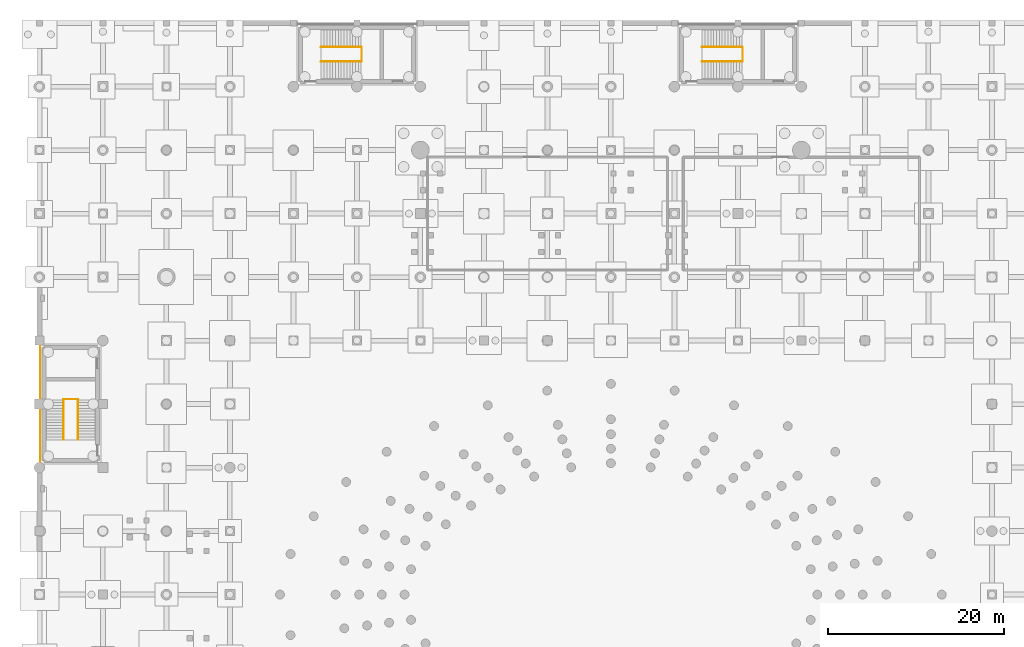
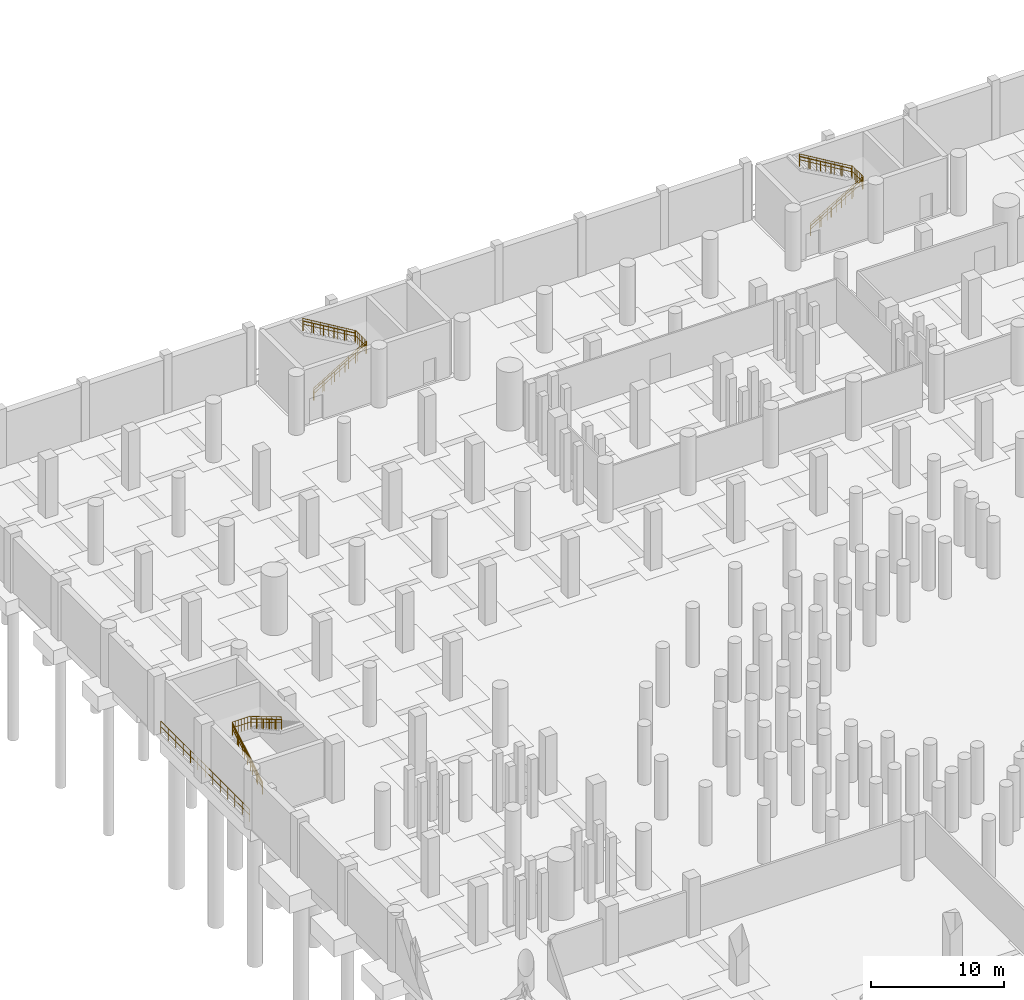
# One storey, part 33 of 37: 16 railings.
"""IFC4 building model written with IfcOpenShell, lengths in metres."""

from ifc_helpers import new_model, si_unit, direction, frame, origin, origin_2d, place, context, subcontext, project, spatial, circle, extrude, material, type_object, element, save


model = new_model("IFC4")

# Units and contexts
model_context = context("Model", 3, precision=1e-05, world=origin(), true_north=direction((0.0, 1.0)))
body_context = subcontext(model_context, "Body", "Model", "MODEL_VIEW")
ifc_project = project(units=[si_unit("LENGTHUNIT", "METRE"), si_unit("AREAUNIT", "SQUARE_METRE"), si_unit("VOLUMEUNIT", "CUBIC_METRE"), si_unit("PLANEANGLEUNIT", "RADIAN"), si_unit("MASSUNIT", "GRAM", prefix="KILO")], contexts=[model_context])

# Site, building, storey
site_placement = place(None, origin())
site = spatial("IfcSite", under=ifc_project, at=site_placement, CompositionType="ELEMENT")
building_placement = place(site_placement, origin())
building = spatial("IfcBuilding", under=site, at=building_placement, Name="Qandorah Velis Arena", CompositionType="ELEMENT")
storey_placement = place(building_placement, frame((0.0, 0.0, -5.39990234375)))
storey = spatial("IfcBuildingStorey", under=building, at=storey_placement, Name="B1", CompositionType="ELEMENT", Elevation=-5.39990234375)

# Railings
ifc_material = material(Name="Stainless steel 316", Category="steel")
railing_type_1 = type_object("IfcRailingType", Name="ARC-RL-GRD1150", PredefinedType="GUARDRAIL", material=ifc_material)
railing_1_placement = place(storey_placement, frame((36.5458984375, 125.239990234375, 2.699951171875)))
element("IfcRailing", 1, at=railing_1_placement, inside=storey, type_object=railing_type_1, Name="Stair ST3 well guardrail (B1)", PredefinedType="GUARDRAIL", context=body_context, shape_type="SweptSolid", body=[
    extrude(circle(Radius=0.02392578125, at=origin_2d()), frame((0.0, 0.0, 1.1259765625), z_axis=(0.0, 1.0, 0.0), x_axis=(-1.0, 0.0, 0.0)), (0.0, 0.0, 1.0), 1.6201171875),
    extrude(circle(Radius=0.02392578125, at=origin_2d()), frame((0.0, 0.0, 0.597900390625), z_axis=(0.0, 1.0, 0.0), x_axis=(-1.0, 0.0, 0.0)), (0.0, 0.0, 1.0), 1.6201171875),
    extrude(circle(Radius=0.02099609375, at=origin_2d()), origin(), (0.0, 0.0, 1.0), 1.101806640625),
    extrude(circle(Radius=0.02099609375, at=origin_2d()), frame((0.0, 0.27001953125, 0.0)), (0.0, 0.0, 1.0), 1.101806640625),
    extrude(circle(Radius=0.02099609375, at=origin_2d()), frame((0.0, 0.5400390625, 0.0)), (0.0, 0.0, 1.0), 1.101806640625),
    extrude(circle(Radius=0.02099609375, at=origin_2d()), frame((0.0, 0.81005859375, 0.0)), (0.0, 0.0, 1.0), 1.101806640625),
    extrude(circle(Radius=0.02099609375, at=origin_2d()), frame((0.0, 1.080078125, 0.0)), (0.0, 0.0, 1.0), 1.101806640625),
    extrude(circle(Radius=0.02099609375, at=origin_2d()), frame((0.0, 1.35009765625, 0.0)), (0.0, 0.0, 1.0), 1.101806640625),
    extrude(circle(Radius=0.02099609375, at=origin_2d()), frame((0.0, 1.6201171875, 0.0)), (0.0, 0.0, 1.0), 1.101806640625),
])
railing_2_placement = place(storey_placement, frame((31.949951171875, 125.22998046875, 0.0)))
element("IfcRailing", 2, at=railing_2_placement, inside=storey, type_object=railing_type_1, Name="Stair ST3 inner flight 1 guardrail (B1)", PredefinedType="GUARDRAIL", context=body_context, shape_type="SweptSolid", body=[
    extrude(circle(Radius=0.02392578125, at=origin_2d()), frame((0.0, 0.0, 1.1259765625), z_axis=(0.859303531718, 0.0, 0.511465971866), x_axis=(0.0, 1.0, 0.0)), (0.0, 0.0, 1.0), 5.27880859375),
    extrude(circle(Radius=0.02392578125, at=origin_2d()), frame((0.0, 0.0, 0.597900390625), z_axis=(0.859303531718, 0.0, 0.511465971866), x_axis=(0.0, 1.0, 0.0)), (0.0, 0.0, 1.0), 5.27880859375),
    extrude(circle(Radius=0.02099609375, at=origin_2d()), origin(), (0.0, 0.0, 1.0), 1.101806640625),
    extrude(circle(Radius=0.02099609375, at=origin_2d()), frame((0.756103515625, 0.0, 0.449951171875)), (0.0, 0.0, 1.0), 1.101806640625),
    extrude(circle(Radius=0.02099609375, at=origin_2d()), frame((1.511962890625, 0.0, 0.89990234375)), (0.0, 0.0, 1.0), 1.101806640625),
    extrude(circle(Radius=0.02099609375, at=origin_2d()), frame((2.26806640625, 0.0, 1.35009765625)), (0.0, 0.0, 1.0), 1.101806640625),
    extrude(circle(Radius=0.02099609375, at=origin_2d()), frame((3.024169921875, 0.0, 1.800048828125)), (0.0, 0.0, 1.0), 1.101806640625),
    extrude(circle(Radius=0.02099609375, at=origin_2d()), frame((3.780029296875, 0.0, 2.25)), (0.0, 0.0, 1.0), 1.101806640625),
    extrude(circle(Radius=0.02099609375, at=origin_2d()), frame((4.5361328125, 0.0, 2.699951171875)), (0.0, 0.0, 1.0), 1.101806640625),
])
railing_3_placement = place(storey_placement, frame((36.486083984375, 126.8701171875, 2.699951171875)))
element("IfcRailing", 3, at=railing_3_placement, inside=storey, type_object=railing_type_1, Name="Stair ST3 inner flight 2 guardrail (B1)", PredefinedType="GUARDRAIL", context=body_context, shape_type="SweptSolid", body=[
    extrude(circle(Radius=0.02392578125, at=origin_2d()), frame((0.0, 0.0, 1.1259765625), z_axis=(-0.859303531718, 0.0, 0.511465971866), x_axis=(0.0, -1.0, 0.0)), (0.0, 0.0, 1.0), 5.27880859375),
    extrude(circle(Radius=0.02392578125, at=origin_2d()), frame((0.0, 0.0, 0.597900390625), z_axis=(-0.859303531718, 0.0, 0.511465971866), x_axis=(0.0, -1.0, 0.0)), (0.0, 0.0, 1.0), 5.27880859375),
    extrude(circle(Radius=0.02099609375, at=origin_2d()), origin(), (0.0, 0.0, 1.0), 1.101806640625),
    extrude(circle(Radius=0.02099609375, at=origin_2d()), frame((-0.756103515625, 0.0, 0.449951171875)), (0.0, 0.0, 1.0), 1.101806640625),
    extrude(circle(Radius=0.02099609375, at=origin_2d()), frame((-1.511962890625, 0.0, 0.89990234375)), (0.0, 0.0, 1.0), 1.101806640625),
    extrude(circle(Radius=0.02099609375, at=origin_2d()), frame((-2.26806640625, 0.0, 1.35009765625)), (0.0, 0.0, 1.0), 1.101806640625),
    extrude(circle(Radius=0.02099609375, at=origin_2d()), frame((-3.024169921875, 0.0, 1.800048828125)), (0.0, 0.0, 1.0), 1.101806640625),
    extrude(circle(Radius=0.02099609375, at=origin_2d()), frame((-3.780029296875, 0.0, 2.25)), (0.0, 0.0, 1.0), 1.101806640625),
    extrude(circle(Radius=0.02099609375, at=origin_2d()), frame((-4.5361328125, 0.0, 2.699951171875)), (0.0, 0.0, 1.0), 1.101806640625),
])
railing_4_placement = place(storey_placement, frame((79.74609375, 125.239990234375, 2.699951171875)))
element("IfcRailing", 4, at=railing_4_placement, inside=storey, type_object=railing_type_1, Name="Stair ST4 well guardrail (B1)", PredefinedType="GUARDRAIL", context=body_context, shape_type="SweptSolid", body=[
    extrude(circle(Radius=0.02392578125, at=origin_2d()), frame((0.0, 0.0, 1.1259765625), z_axis=(0.0, 1.0, 0.0), x_axis=(-1.0, 0.0, 0.0)), (0.0, 0.0, 1.0), 1.6201171875),
    extrude(circle(Radius=0.02392578125, at=origin_2d()), frame((0.0, 0.0, 0.597900390625), z_axis=(0.0, 1.0, 0.0), x_axis=(-1.0, 0.0, 0.0)), (0.0, 0.0, 1.0), 1.6201171875),
    extrude(circle(Radius=0.02099609375, at=origin_2d()), origin(), (0.0, 0.0, 1.0), 1.101806640625),
    extrude(circle(Radius=0.02099609375, at=origin_2d()), frame((0.0, 0.27001953125, 0.0)), (0.0, 0.0, 1.0), 1.101806640625),
    extrude(circle(Radius=0.02099609375, at=origin_2d()), frame((0.0, 0.5400390625, 0.0)), (0.0, 0.0, 1.0), 1.101806640625),
    extrude(circle(Radius=0.02099609375, at=origin_2d()), frame((0.0, 0.81005859375, 0.0)), (0.0, 0.0, 1.0), 1.101806640625),
    extrude(circle(Radius=0.02099609375, at=origin_2d()), frame((0.0, 1.080078125, 0.0)), (0.0, 0.0, 1.0), 1.101806640625),
    extrude(circle(Radius=0.02099609375, at=origin_2d()), frame((0.0, 1.35009765625, 0.0)), (0.0, 0.0, 1.0), 1.101806640625),
    extrude(circle(Radius=0.02099609375, at=origin_2d()), frame((0.0, 1.6201171875, 0.0)), (0.0, 0.0, 1.0), 1.101806640625),
])
railing_5_placement = place(storey_placement, frame((75.14990234375, 125.22998046875, 0.0)))
element("IfcRailing", 5, at=railing_5_placement, inside=storey, type_object=railing_type_1, Name="Stair ST4 inner flight 1 guardrail (B1)", PredefinedType="GUARDRAIL", context=body_context, shape_type="SweptSolid", body=[
    extrude(circle(Radius=0.02392578125, at=origin_2d()), frame((0.0, 0.0, 1.1259765625), z_axis=(0.859303531718, 0.0, 0.511465971866), x_axis=(0.0, 1.0, 0.0)), (0.0, 0.0, 1.0), 5.27880859375),
    extrude(circle(Radius=0.02392578125, at=origin_2d()), frame((0.0, 0.0, 0.597900390625), z_axis=(0.859303531718, 0.0, 0.511465971866), x_axis=(0.0, 1.0, 0.0)), (0.0, 0.0, 1.0), 5.27880859375),
    extrude(circle(Radius=0.02099609375, at=origin_2d()), origin(), (0.0, 0.0, 1.0), 1.101806640625),
    extrude(circle(Radius=0.02099609375, at=origin_2d()), frame((0.756103515625, 0.0, 0.449951171875)), (0.0, 0.0, 1.0), 1.101806640625),
    extrude(circle(Radius=0.02099609375, at=origin_2d()), frame((1.511962890625, 0.0, 0.89990234375)), (0.0, 0.0, 1.0), 1.101806640625),
    extrude(circle(Radius=0.02099609375, at=origin_2d()), frame((2.26806640625, 0.0, 1.35009765625)), (0.0, 0.0, 1.0), 1.101806640625),
    extrude(circle(Radius=0.02099609375, at=origin_2d()), frame((3.024169921875, 0.0, 1.800048828125)), (0.0, 0.0, 1.0), 1.101806640625),
    extrude(circle(Radius=0.02099609375, at=origin_2d()), frame((3.780029296875, 0.0, 2.25)), (0.0, 0.0, 1.0), 1.101806640625),
    extrude(circle(Radius=0.02099609375, at=origin_2d()), frame((4.5361328125, 0.0, 2.699951171875)), (0.0, 0.0, 1.0), 1.101806640625),
])
railing_6_placement = place(storey_placement, frame((79.68603515625, 126.8701171875, 2.699951171875)))
element("IfcRailing", 6, at=railing_6_placement, inside=storey, type_object=railing_type_1, Name="Stair ST4 inner flight 2 guardrail (B1)", PredefinedType="GUARDRAIL", context=body_context, shape_type="SweptSolid", body=[
    extrude(circle(Radius=0.02392578125, at=origin_2d()), frame((0.0, 0.0, 1.1259765625), z_axis=(-0.859303531718, 0.0, 0.511465971866), x_axis=(0.0, -1.0, 0.0)), (0.0, 0.0, 1.0), 5.27880859375),
    extrude(circle(Radius=0.02392578125, at=origin_2d()), frame((0.0, 0.0, 0.597900390625), z_axis=(-0.859303531718, 0.0, 0.511465971866), x_axis=(0.0, -1.0, 0.0)), (0.0, 0.0, 1.0), 5.27880859375),
    extrude(circle(Radius=0.02099609375, at=origin_2d()), origin(), (0.0, 0.0, 1.0), 1.101806640625),
    extrude(circle(Radius=0.02099609375, at=origin_2d()), frame((-0.756103515625, 0.0, 0.449951171875)), (0.0, 0.0, 1.0), 1.101806640625),
    extrude(circle(Radius=0.02099609375, at=origin_2d()), frame((-1.511962890625, 0.0, 0.89990234375)), (0.0, 0.0, 1.0), 1.101806640625),
    extrude(circle(Radius=0.02099609375, at=origin_2d()), frame((-2.26806640625, 0.0, 1.35009765625)), (0.0, 0.0, 1.0), 1.101806640625),
    extrude(circle(Radius=0.02099609375, at=origin_2d()), frame((-3.024169921875, 0.0, 1.800048828125)), (0.0, 0.0, 1.0), 1.101806640625),
    extrude(circle(Radius=0.02099609375, at=origin_2d()), frame((-3.780029296875, 0.0, 2.25)), (0.0, 0.0, 1.0), 1.101806640625),
    extrude(circle(Radius=0.02099609375, at=origin_2d()), frame((-4.5361328125, 0.0, 2.699951171875)), (0.0, 0.0, 1.0), 1.101806640625),
])
railing_7_placement = place(storey_placement, frame((2.739990234375, 86.946044921875, 2.699951171875)))
element("IfcRailing", 7, at=railing_7_placement, inside=storey, type_object=railing_type_1, Name="Stair ST6 well guardrail (B1)", PredefinedType="GUARDRAIL", context=body_context, shape_type="SweptSolid", body=[
    extrude(circle(Radius=0.02392578125, at=origin_2d()), frame((0.0, 0.0, 1.1259765625), z_axis=(1.0, 0.0, 0.0), x_axis=(0.0, 1.0, 0.0)), (0.0, 0.0, 1.0), 1.6201171875),
    extrude(circle(Radius=0.02392578125, at=origin_2d()), frame((0.0, 0.0, 0.597900390625), z_axis=(1.0, 0.0, 0.0), x_axis=(0.0, 1.0, 0.0)), (0.0, 0.0, 1.0), 1.6201171875),
    extrude(circle(Radius=0.02099609375, at=origin_2d()), origin(), (0.0, 0.0, 1.0), 1.101806640625),
    extrude(circle(Radius=0.02099609375, at=origin_2d()), frame((0.27001953125, 0.0, 0.0)), (0.0, 0.0, 1.0), 1.101806640625),
    extrude(circle(Radius=0.02099609375, at=origin_2d()), frame((0.5400390625, 0.0, 0.0)), (0.0, 0.0, 1.0), 1.101806640625),
    extrude(circle(Radius=0.02099609375, at=origin_2d()), frame((0.81005859375, 0.0, 0.0)), (0.0, 0.0, 1.0), 1.101806640625),
    extrude(circle(Radius=0.02099609375, at=origin_2d()), frame((1.080078125, 0.0, 0.0)), (0.0, 0.0, 1.0), 1.101806640625),
    extrude(circle(Radius=0.02099609375, at=origin_2d()), frame((1.35009765625, 0.0, 0.0)), (0.0, 0.0, 1.0), 1.101806640625),
    extrude(circle(Radius=0.02099609375, at=origin_2d()), frame((1.6201171875, 0.0, 0.0)), (0.0, 0.0, 1.0), 1.101806640625),
])
railing_8_placement = place(storey_placement, frame((2.72998046875, 82.35009765625, 0.0)))
element("IfcRailing", 8, at=railing_8_placement, inside=storey, type_object=railing_type_1, Name="Stair ST6 inner flight 1 guardrail (B1)", PredefinedType="GUARDRAIL", context=body_context, shape_type="SweptSolid", body=[
    extrude(circle(Radius=0.02392578125, at=origin_2d()), frame((0.0, 0.0, 1.1259765625), z_axis=(0.0, 0.859291432417, 0.511486299107), x_axis=(-1.0, 0.0, 0.0)), (0.0, 0.0, 1.0), 5.278564453125),
    extrude(circle(Radius=0.02392578125, at=origin_2d()), frame((0.0, 0.0, 0.597900390625), z_axis=(0.0, 0.859291432417, 0.511486299107), x_axis=(-1.0, 0.0, 0.0)), (0.0, 0.0, 1.0), 5.278564453125),
    extrude(circle(Radius=0.02099609375, at=origin_2d()), origin(), (0.0, 0.0, 1.0), 1.101806640625),
    extrude(circle(Radius=0.02099609375, at=origin_2d()), frame((0.0, 0.755859375, 0.449951171875)), (0.0, 0.0, 1.0), 1.101806640625),
    extrude(circle(Radius=0.02099609375, at=origin_2d()), frame((0.0, 1.511962890625, 0.89990234375)), (0.0, 0.0, 1.0), 1.101806640625),
    extrude(circle(Radius=0.02099609375, at=origin_2d()), frame((0.0, 2.26806640625, 1.35009765625)), (0.0, 0.0, 1.0), 1.101806640625),
    extrude(circle(Radius=0.02099609375, at=origin_2d()), frame((0.0, 3.02392578125, 1.800048828125)), (0.0, 0.0, 1.0), 1.101806640625),
    extrude(circle(Radius=0.02099609375, at=origin_2d()), frame((0.0, 3.77978515625, 2.25)), (0.0, 0.0, 1.0), 1.101806640625),
    extrude(circle(Radius=0.02099609375, at=origin_2d()), frame((0.0, 4.535888671875, 2.699951171875)), (0.0, 0.0, 1.0), 1.101806640625),
])
railing_9_placement = place(storey_placement, frame((4.3701171875, 86.885986328125, 2.699951171875)))
element("IfcRailing", 9, at=railing_9_placement, inside=storey, type_object=railing_type_1, Name="Stair ST6 inner flight 2 guardrail (B1)", PredefinedType="GUARDRAIL", context=body_context, shape_type="SweptSolid", body=[
    extrude(circle(Radius=0.02392578125, at=origin_2d()), frame((0.0, 0.0, 1.1259765625), z_axis=(0.0, -0.859291432417, 0.511486299107), x_axis=(1.0, 0.0, 0.0)), (0.0, 0.0, 1.0), 5.278564453125),
    extrude(circle(Radius=0.02392578125, at=origin_2d()), frame((0.0, 0.0, 0.597900390625), z_axis=(0.0, -0.859291432417, 0.511486299107), x_axis=(1.0, 0.0, 0.0)), (0.0, 0.0, 1.0), 5.278564453125),
    extrude(circle(Radius=0.02099609375, at=origin_2d()), origin(), (0.0, 0.0, 1.0), 1.101806640625),
    extrude(circle(Radius=0.02099609375, at=origin_2d()), frame((0.0, -0.755859375, 0.449951171875)), (0.0, 0.0, 1.0), 1.101806640625),
    extrude(circle(Radius=0.02099609375, at=origin_2d()), frame((0.0, -1.511962890625, 0.89990234375)), (0.0, 0.0, 1.0), 1.101806640625),
    extrude(circle(Radius=0.02099609375, at=origin_2d()), frame((0.0, -2.26806640625, 1.35009765625)), (0.0, 0.0, 1.0), 1.101806640625),
    extrude(circle(Radius=0.02099609375, at=origin_2d()), frame((0.0, -3.02392578125, 1.800048828125)), (0.0, 0.0, 1.0), 1.101806640625),
    extrude(circle(Radius=0.02099609375, at=origin_2d()), frame((0.0, -3.77978515625, 2.25)), (0.0, 0.0, 1.0), 1.101806640625),
    extrude(circle(Radius=0.02099609375, at=origin_2d()), frame((0.0, -4.535888671875, 2.699951171875)), (0.0, 0.0, 1.0), 1.101806640625),
])
railing_10_placement = place(storey_placement, frame((0.10009765625, 79.699951171875, 0.0)))
element("IfcRailing", 10, at=railing_10_placement, inside=storey, type_object=railing_type_1, Name="Slab edge safety guardrail B1-005", PredefinedType="GUARDRAIL", context=body_context, shape_type="SweptSolid", body=[
    extrude(circle(Radius=0.02392578125, at=origin_2d()), frame((0.0, 0.0, 1.1259765625), z_axis=(0.0, 1.0, 0.0), x_axis=(-1.0, 0.0, 0.0)), (0.0, 0.0, 1.0), 13.400146484375),
    extrude(circle(Radius=0.02392578125, at=origin_2d()), frame((0.0, 0.0, 0.597900390625), z_axis=(0.0, 1.0, 0.0), x_axis=(-1.0, 0.0, 0.0)), (0.0, 0.0, 1.0), 13.400146484375),
    extrude(circle(Radius=0.02099609375, at=origin_2d()), origin(), (0.0, 0.0, 1.0), 1.101806640625),
    extrude(circle(Radius=0.02099609375, at=origin_2d()), frame((0.0, 1.11669921875, 0.0)), (0.0, 0.0, 1.0), 1.101806640625),
    extrude(circle(Radius=0.02099609375, at=origin_2d()), frame((0.0, 2.2333984375, 0.0)), (0.0, 0.0, 1.0), 1.101806640625),
    extrude(circle(Radius=0.02099609375, at=origin_2d()), frame((0.0, 3.35009765625, 0.0)), (0.0, 0.0, 1.0), 1.101806640625),
    extrude(circle(Radius=0.02099609375, at=origin_2d()), frame((0.0, 4.466796875, 0.0)), (0.0, 0.0, 1.0), 1.101806640625),
    extrude(circle(Radius=0.02099609375, at=origin_2d()), frame((0.0, 5.58349609375, 0.0)), (0.0, 0.0, 1.0), 1.101806640625),
    extrude(circle(Radius=0.02099609375, at=origin_2d()), frame((0.0, 6.7001953125, 0.0)), (0.0, 0.0, 1.0), 1.101806640625),
    extrude(circle(Radius=0.02099609375, at=origin_2d()), frame((0.0, 7.816650390625, 0.0)), (0.0, 0.0, 1.0), 1.101806640625),
    extrude(circle(Radius=0.02099609375, at=origin_2d()), frame((0.0, 8.933349609375, 0.0)), (0.0, 0.0, 1.0), 1.101806640625),
    extrude(circle(Radius=0.02099609375, at=origin_2d()), frame((0.0, 10.050048828125, 0.0)), (0.0, 0.0, 1.0), 1.101806640625),
    extrude(circle(Radius=0.02099609375, at=origin_2d()), frame((0.0, 11.166748046875, 0.0)), (0.0, 0.0, 1.0), 1.101806640625),
    extrude(circle(Radius=0.02099609375, at=origin_2d()), frame((0.0, 12.283447265625, 0.0)), (0.0, 0.0, 1.0), 1.101806640625),
    extrude(circle(Radius=0.02099609375, at=origin_2d()), frame((0.0, 13.400146484375, 0.0)), (0.0, 0.0, 1.0), 1.101806640625),
])
railing_type_2 = type_object("IfcRailingType", Name="ARC-RL-HND920", PredefinedType="HANDRAIL", material=ifc_material)
railing_11_placement = place(storey_placement, frame((31.949951171875, 125.22998046875, 0.0)))
element("IfcRailing", 11, at=railing_11_placement, inside=storey, type_object=railing_type_2, Name="Stair ST3 inner handrail 1 (B1)", PredefinedType="HANDRAIL", context=body_context, shape_type="SweptSolid", body=[
    extrude(circle(Radius=0.02392578125, at=origin_2d()), frame((0.0, 0.0, 0.89599609375), z_axis=(0.859303531718, 0.0, 0.511465971866), x_axis=(0.0, 1.0, 0.0)), (0.0, 0.0, 1.0), 5.27880859375),
    extrude(circle(Radius=0.02099609375, at=origin_2d()), origin(), (0.0, 0.0, 1.0), 0.871826171875),
    extrude(circle(Radius=0.02099609375, at=origin_2d()), frame((0.9072265625, 0.0, 0.5400390625)), (0.0, 0.0, 1.0), 0.871826171875),
    extrude(circle(Radius=0.02099609375, at=origin_2d()), frame((1.814453125, 0.0, 1.080078125)), (0.0, 0.0, 1.0), 0.871826171875),
    extrude(circle(Radius=0.02099609375, at=origin_2d()), frame((2.7216796875, 0.0, 1.619873046875)), (0.0, 0.0, 1.0), 0.871826171875),
    extrude(circle(Radius=0.02099609375, at=origin_2d()), frame((3.62890625, 0.0, 2.159912109375)), (0.0, 0.0, 1.0), 0.871826171875),
    extrude(circle(Radius=0.02099609375, at=origin_2d()), frame((4.5361328125, 0.0, 2.699951171875)), (0.0, 0.0, 1.0), 0.871826171875),
])
railing_12_placement = place(storey_placement, frame((36.486083984375, 126.8701171875, 2.699951171875)))
element("IfcRailing", 12, at=railing_12_placement, inside=storey, type_object=railing_type_2, Name="Stair ST3 inner handrail 2 (B1)", PredefinedType="HANDRAIL", context=body_context, shape_type="SweptSolid", body=[
    extrude(circle(Radius=0.02392578125, at=origin_2d()), frame((0.0, 0.0, 0.89599609375), z_axis=(-0.859303531718, 0.0, 0.511465971866), x_axis=(0.0, -1.0, 0.0)), (0.0, 0.0, 1.0), 5.27880859375),
    extrude(circle(Radius=0.02099609375, at=origin_2d()), origin(), (0.0, 0.0, 1.0), 0.871826171875),
    extrude(circle(Radius=0.02099609375, at=origin_2d()), frame((-0.9072265625, 0.0, 0.5400390625)), (0.0, 0.0, 1.0), 0.871826171875),
    extrude(circle(Radius=0.02099609375, at=origin_2d()), frame((-1.814453125, 0.0, 1.080078125)), (0.0, 0.0, 1.0), 0.871826171875),
    extrude(circle(Radius=0.02099609375, at=origin_2d()), frame((-2.7216796875, 0.0, 1.619873046875)), (0.0, 0.0, 1.0), 0.871826171875),
    extrude(circle(Radius=0.02099609375, at=origin_2d()), frame((-3.62890625, 0.0, 2.159912109375)), (0.0, 0.0, 1.0), 0.871826171875),
    extrude(circle(Radius=0.02099609375, at=origin_2d()), frame((-4.5361328125, 0.0, 2.699951171875)), (0.0, 0.0, 1.0), 0.871826171875),
])
railing_13_placement = place(storey_placement, frame((75.14990234375, 125.22998046875, 0.0)))
element("IfcRailing", 13, at=railing_13_placement, inside=storey, type_object=railing_type_2, Name="Stair ST4 inner handrail 1 (B1)", PredefinedType="HANDRAIL", context=body_context, shape_type="SweptSolid", body=[
    extrude(circle(Radius=0.02392578125, at=origin_2d()), frame((0.0, 0.0, 0.89599609375), z_axis=(0.859303531718, 0.0, 0.511465971866), x_axis=(0.0, 1.0, 0.0)), (0.0, 0.0, 1.0), 5.27880859375),
    extrude(circle(Radius=0.02099609375, at=origin_2d()), origin(), (0.0, 0.0, 1.0), 0.871826171875),
    extrude(circle(Radius=0.02099609375, at=origin_2d()), frame((0.9072265625, 0.0, 0.5400390625)), (0.0, 0.0, 1.0), 0.871826171875),
    extrude(circle(Radius=0.02099609375, at=origin_2d()), frame((1.814453125, 0.0, 1.080078125)), (0.0, 0.0, 1.0), 0.871826171875),
    extrude(circle(Radius=0.02099609375, at=origin_2d()), frame((2.7216796875, 0.0, 1.619873046875)), (0.0, 0.0, 1.0), 0.871826171875),
    extrude(circle(Radius=0.02099609375, at=origin_2d()), frame((3.62890625, 0.0, 2.159912109375)), (0.0, 0.0, 1.0), 0.871826171875),
    extrude(circle(Radius=0.02099609375, at=origin_2d()), frame((4.5361328125, 0.0, 2.699951171875)), (0.0, 0.0, 1.0), 0.871826171875),
])
railing_14_placement = place(storey_placement, frame((79.68603515625, 126.8701171875, 2.699951171875)))
element("IfcRailing", 14, at=railing_14_placement, inside=storey, type_object=railing_type_2, Name="Stair ST4 inner handrail 2 (B1)", PredefinedType="HANDRAIL", context=body_context, shape_type="SweptSolid", body=[
    extrude(circle(Radius=0.02392578125, at=origin_2d()), frame((0.0, 0.0, 0.89599609375), z_axis=(-0.859303531718, 0.0, 0.511465971866), x_axis=(0.0, -1.0, 0.0)), (0.0, 0.0, 1.0), 5.27880859375),
    extrude(circle(Radius=0.02099609375, at=origin_2d()), origin(), (0.0, 0.0, 1.0), 0.871826171875),
    extrude(circle(Radius=0.02099609375, at=origin_2d()), frame((-0.9072265625, 0.0, 0.5400390625)), (0.0, 0.0, 1.0), 0.871826171875),
    extrude(circle(Radius=0.02099609375, at=origin_2d()), frame((-1.814453125, 0.0, 1.080078125)), (0.0, 0.0, 1.0), 0.871826171875),
    extrude(circle(Radius=0.02099609375, at=origin_2d()), frame((-2.7216796875, 0.0, 1.619873046875)), (0.0, 0.0, 1.0), 0.871826171875),
    extrude(circle(Radius=0.02099609375, at=origin_2d()), frame((-3.62890625, 0.0, 2.159912109375)), (0.0, 0.0, 1.0), 0.871826171875),
    extrude(circle(Radius=0.02099609375, at=origin_2d()), frame((-4.5361328125, 0.0, 2.699951171875)), (0.0, 0.0, 1.0), 0.871826171875),
])
railing_15_placement = place(storey_placement, frame((2.72998046875, 82.35009765625, 0.0)))
element("IfcRailing", 15, at=railing_15_placement, inside=storey, type_object=railing_type_2, Name="Stair ST6 inner handrail 1 (B1)", PredefinedType="HANDRAIL", context=body_context, shape_type="SweptSolid", body=[
    extrude(circle(Radius=0.02392578125, at=origin_2d()), frame((0.0, 0.0, 0.89599609375), z_axis=(0.0, 0.859291432417, 0.511486299107), x_axis=(-1.0, 0.0, 0.0)), (0.0, 0.0, 1.0), 5.278564453125),
    extrude(circle(Radius=0.02099609375, at=origin_2d()), origin(), (0.0, 0.0, 1.0), 0.871826171875),
    extrude(circle(Radius=0.02099609375, at=origin_2d()), frame((0.0, 0.9072265625, 0.5400390625)), (0.0, 0.0, 1.0), 0.871826171875),
    extrude(circle(Radius=0.02099609375, at=origin_2d()), frame((0.0, 1.814453125, 1.080078125)), (0.0, 0.0, 1.0), 0.871826171875),
    extrude(circle(Radius=0.02099609375, at=origin_2d()), frame((0.0, 2.721435546875, 1.619873046875)), (0.0, 0.0, 1.0), 0.871826171875),
    extrude(circle(Radius=0.02099609375, at=origin_2d()), frame((0.0, 3.628662109375, 2.159912109375)), (0.0, 0.0, 1.0), 0.871826171875),
    extrude(circle(Radius=0.02099609375, at=origin_2d()), frame((0.0, 4.535888671875, 2.699951171875)), (0.0, 0.0, 1.0), 0.871826171875),
])
railing_16_placement = place(storey_placement, frame((4.3701171875, 86.885986328125, 2.699951171875)))
element("IfcRailing", 16, at=railing_16_placement, inside=storey, type_object=railing_type_2, Name="Stair ST6 inner handrail 2 (B1)", PredefinedType="HANDRAIL", context=body_context, shape_type="SweptSolid", body=[
    extrude(circle(Radius=0.02392578125, at=origin_2d()), frame((0.0, 0.0, 0.89599609375), z_axis=(0.0, -0.859291432417, 0.511486299107), x_axis=(1.0, 0.0, 0.0)), (0.0, 0.0, 1.0), 5.278564453125),
    extrude(circle(Radius=0.02099609375, at=origin_2d()), origin(), (0.0, 0.0, 1.0), 0.871826171875),
    extrude(circle(Radius=0.02099609375, at=origin_2d()), frame((0.0, -0.9072265625, 0.5400390625)), (0.0, 0.0, 1.0), 0.871826171875),
    extrude(circle(Radius=0.02099609375, at=origin_2d()), frame((0.0, -1.814453125, 1.080078125)), (0.0, 0.0, 1.0), 0.871826171875),
    extrude(circle(Radius=0.02099609375, at=origin_2d()), frame((0.0, -2.721435546875, 1.619873046875)), (0.0, 0.0, 1.0), 0.871826171875),
    extrude(circle(Radius=0.02099609375, at=origin_2d()), frame((0.0, -3.628662109375, 2.159912109375)), (0.0, 0.0, 1.0), 0.871826171875),
    extrude(circle(Radius=0.02099609375, at=origin_2d()), frame((0.0, -4.535888671875, 2.699951171875)), (0.0, 0.0, 1.0), 0.871826171875),
])

save(model, "model.ifc")
